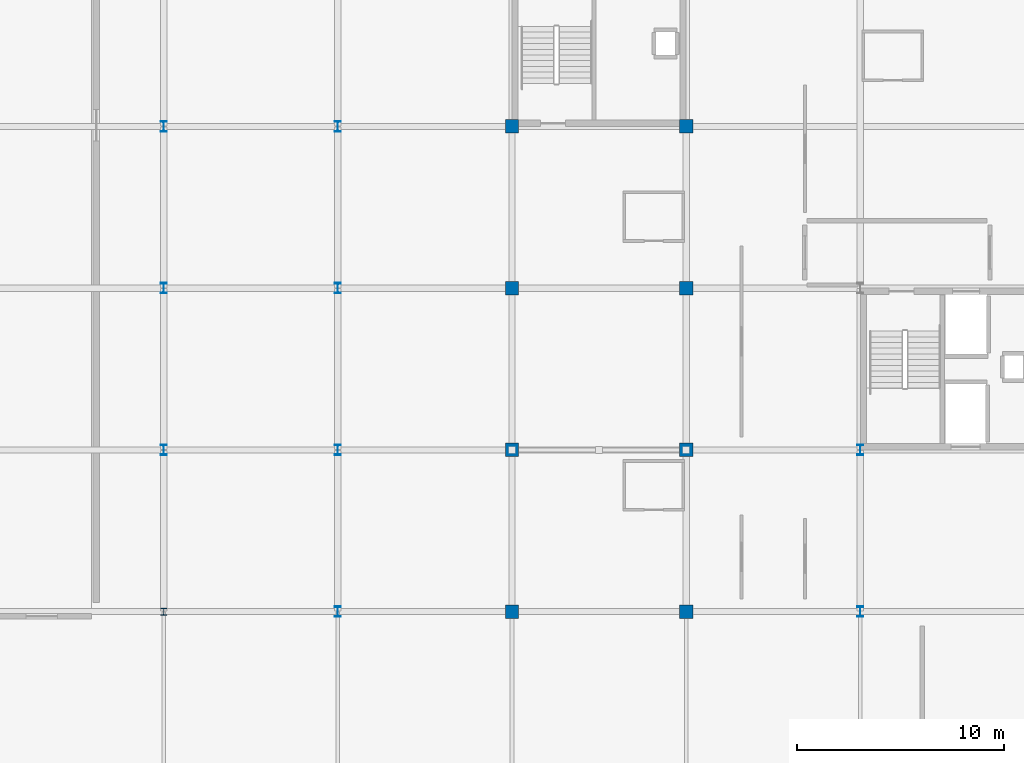
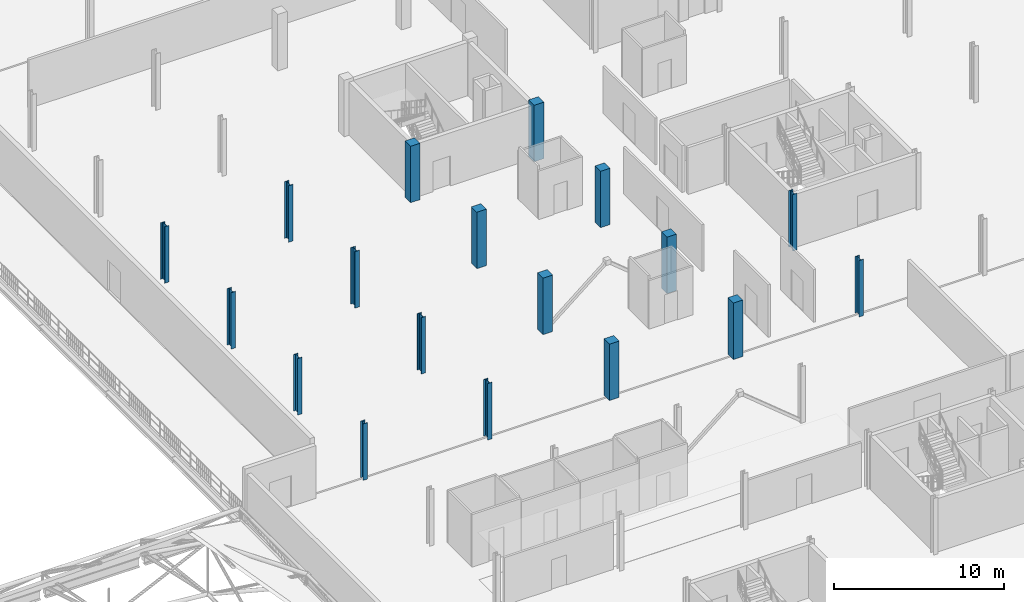
# One storey, part 10 of 77: 18 columns.
"""IFC4 building model written with IfcOpenShell, lengths in metres."""

from ifc_helpers import new_model, si_unit, direction, frame, origin, origin_2d, place, context, subcontext, project, spatial, rectangle, i_section, extrude, material, material_profile, profile_set, type_object, element, save


model = new_model("IFC4")

# Units and contexts
model_context = context("Model", 3, precision=1e-05, world=origin(), true_north=direction((0.0, 1.0)))
body_context = subcontext(model_context, "Body", "Model", "MODEL_VIEW")
ifc_project = project(units=[si_unit("LENGTHUNIT", "METRE"), si_unit("AREAUNIT", "SQUARE_METRE"), si_unit("VOLUMEUNIT", "CUBIC_METRE"), si_unit("PLANEANGLEUNIT", "RADIAN"), si_unit("MASSUNIT", "GRAM", prefix="KILO")], contexts=[model_context])

# Site, building, storey
site_placement = place(None, origin())
site = spatial("IfcSite", under=ifc_project, at=site_placement, CompositionType="ELEMENT")
building_placement = place(site_placement, origin())
building = spatial("IfcBuilding", under=site, at=building_placement, Name="Nabrawat Pavilion Hospital", CompositionType="ELEMENT")
storey_placement = place(building_placement, frame((0.0, 0.0, 14.85009765625)))
storey = spatial("IfcBuildingStorey", under=building, at=storey_placement, Name="L03", CompositionType="ELEMENT", Elevation=14.85009765625)

# Columns
ifc_material_1 = material(Name="Steel S355", Category="steel")
ifc_material_profile_1 = material_profile(ifc_material_1, i_section(OverallWidth=0.300048828125, OverallDepth=0.5, WebThickness=0.014404296875, FlangeThickness=0.028076171875, FilletRadius=0.027099609375, at=origin_2d()), Name="HEB 500")
ifc_profile_set_1 = profile_set([ifc_material_profile_1], Name="Steel S355")
column_type_1 = type_object("IfcColumnType", Name="Composite Steel Column HEB 500", PredefinedType="COLUMN", material=ifc_profile_set_1)
for number, where, z_axis, x_axis, name in (
    (1, (134.39990234375, 46.800048828125, 0.0), (0.0, 0.0, 1.0), (1.0, 0.0, 0.0), "L03 Structural Column G-17-G"),
    (2, (134.39990234375, 54.60009765625, 0.0), (0.0, 0.0, 1.0), (1.0, 0.0, 0.0), "L03 Structural Column G-17-H"),
    (3, (134.39990234375, 62.39990234375, 0.0), (0.0, 0.0, 1.0), (1.0, 0.0, 0.0), "L03 Structural Column G-17-J"),
    (4, (142.800048828125, 39.0, 0.0), (0.0, 0.0, 1.0), (1.0, 0.0, 0.0), "L03 Structural Column G-18-F1"),
    (5, (142.800048828125, 46.800048828125, 0.0), (0.0, 0.0, 1.0), (1.0, 0.0, 0.0), "L03 Structural Column G-18-G"),
    (6, (142.800048828125, 54.60009765625, 0.0), (0.0, 0.0, 1.0), (1.0, 0.0, 0.0), "L03 Structural Column G-18-H"),
    (7, (142.800048828125, 62.39990234375, 0.0), (0.0, 0.0, 1.0), (1.0, 0.0, 0.0), "L03 Structural Column G-18-J"),
    (8, (168.0, 39.0, 0.0), (0.0, 0.0, 1.0), (1.0, 0.0, 0.0), "L03 Structural Column G-21-F1"),
    (9, (168.0, 46.800048828125, 0.0), (0.0, 0.0, 1.0), (1.0, 0.0, 0.0), "L03 Structural Column G-21-G"),
):
    element("IfcColumn", number, at=place(storey_placement, frame(where, z_axis=z_axis, x_axis=x_axis)), inside=storey, type_object=column_type_1, Name=name, PredefinedType="COLUMN", context=body_context, shape_type="SweptSolid", body=[
        extrude(i_section(OverallWidth=0.300048828125, OverallDepth=0.5, WebThickness=0.014404296875, FlangeThickness=0.028076171875, FilletRadius=0.027099609375, at=origin_2d()), origin(), (0.0, 0.0, 1.0), 4.0498046875),
    ])
ifc_material_2 = material(Name="Concrete C40/50", Category="concrete")
ifc_material_profile_2 = material_profile(ifc_material_2, rectangle(XDim=0.64990234375, YDim=0.64990234375, at=origin_2d()), Name="RC 650x650")
ifc_profile_set_2 = profile_set([ifc_material_profile_2], Name="Concrete C40/50")
column_type_2 = type_object("IfcColumnType", Name="Outpatient RC Column 650x650", PredefinedType="COLUMN", material=ifc_profile_set_2)
for number, where, z_axis, x_axis, name in (
    (10, (151.199951171875, 39.0, 0.0), (0.0, 0.0, 1.0), (1.0, 0.0, 0.0), "L03 Structural Column G-19-F1"),
    (11, (151.199951171875, 46.800048828125, 0.0), (0.0, 0.0, 1.0), (1.0, 0.0, 0.0), "L03 Structural Column G-19-G"),
    (12, (151.199951171875, 54.60009765625, 0.0), (0.0, 0.0, 1.0), (1.0, 0.0, 0.0), "L03 Structural Column G-19-H"),
    (13, (151.199951171875, 62.39990234375, 0.0), (0.0, 0.0, 1.0), (1.0, 0.0, 0.0), "L03 Structural Column G-19-J"),
    (14, (159.60009765625, 39.0, 0.0), (0.0, 0.0, 1.0), (1.0, 0.0, 0.0), "L03 Structural Column G-20-F1"),
    (15, (159.60009765625, 46.800048828125, 0.0), (0.0, 0.0, 1.0), (1.0, 0.0, 0.0), "L03 Structural Column G-20-G"),
    (16, (159.60009765625, 54.60009765625, 0.0), (0.0, 0.0, 1.0), (1.0, 0.0, 0.0), "L03 Structural Column G-20-H"),
    (17, (159.60009765625, 62.39990234375, 0.0), (0.0, 0.0, 1.0), (1.0, 0.0, 0.0), "L03 Structural Column G-20-J"),
):
    element("IfcColumn", number, at=place(storey_placement, frame(where, z_axis=z_axis, x_axis=x_axis)), inside=storey, type_object=column_type_2, Name=name, PredefinedType="COLUMN", context=body_context, shape_type="SweptSolid", body=[
        extrude(rectangle(XDim=0.64990234375, YDim=0.64990234375, at=origin_2d()), origin(), (0.0, 0.0, 1.0), 4.0498046875),
    ])
ifc_material_profile_3 = material_profile(ifc_material_1, i_section(OverallWidth=0.300048828125, OverallDepth=0.340087890625, WebThickness=0.011962890625, FlangeThickness=0.021484375, FilletRadius=0.027099609375, at=origin_2d()), Name="HEB 340")
ifc_profile_set_3 = profile_set([ifc_material_profile_3], Name="Steel S355")
column_type_3 = type_object("IfcColumnType", Name="Upper Clinic Steel Column HEB 340", PredefinedType="COLUMN", material=ifc_profile_set_3)
column_placement = place(storey_placement, frame((134.39990234375, 39.0, 0.0), z_axis=(0.0, 0.0, 1.0), x_axis=(1.0, 0.0, 0.0)))
element("IfcColumn", 18, at=column_placement, inside=storey, type_object=column_type_3, Name="L03 Structural Column G-17-F1", PredefinedType="COLUMN", context=body_context, shape_type="SweptSolid", body=[
    extrude(i_section(OverallWidth=0.300048828125, OverallDepth=0.340087890625, WebThickness=0.011962890625, FlangeThickness=0.021484375, FilletRadius=0.027099609375, at=origin_2d()), origin(), (0.0, 0.0, 1.0), 4.0498046875),
])

save(model, "model.ifc")
